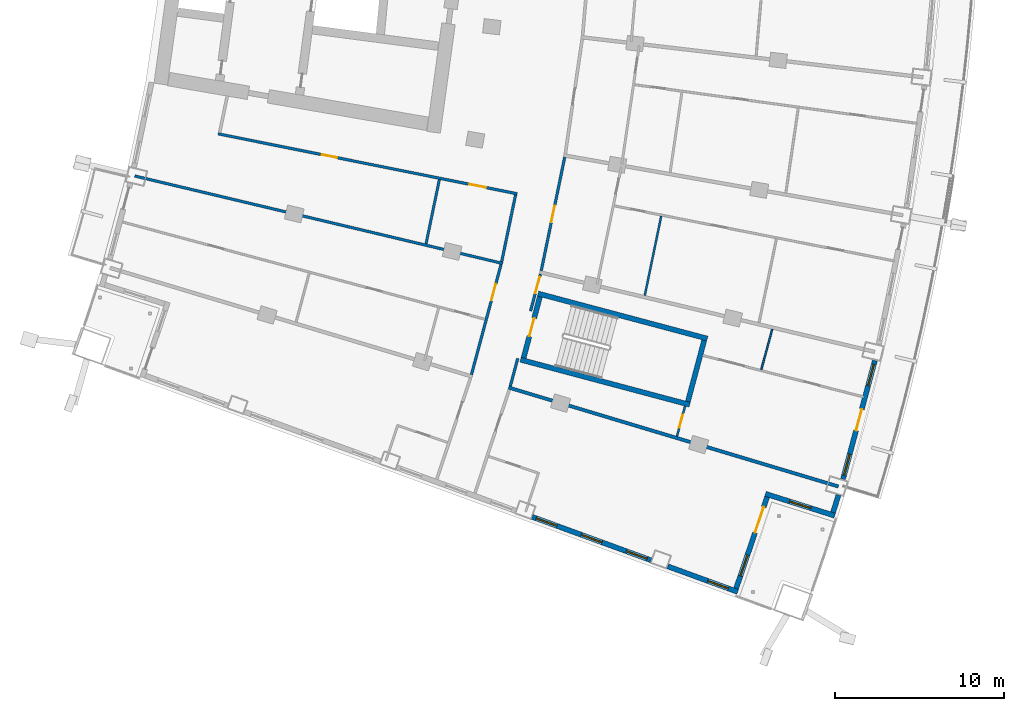
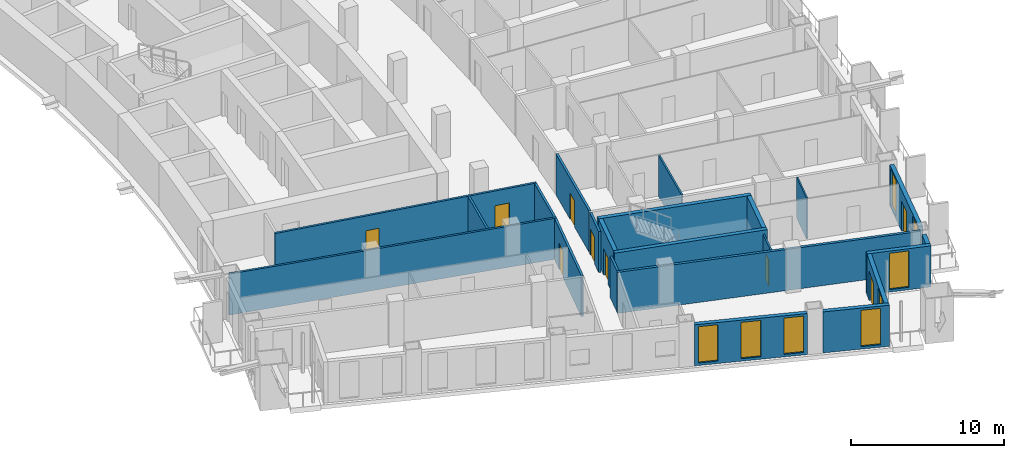
# One storey, part 11 of 23: 22 walls, 9 doors, 8 windows, 17 openings.
"""IFC4 building model written with IfcOpenShell, lengths in metres."""

from ifc_helpers import new_model, si_unit, direction, frame, frame_2d, origin, place, context, subcontext, project, spatial, rectangle, extrude, material, layer, layer_set, type_object, element, fill, save


model = new_model("IFC4")

# Units and contexts
model_context = context("Model", 3, precision=1e-05, world=origin(), true_north=direction((0.0, 1.0)))
body_context = subcontext(model_context, "Body", "Model", "MODEL_VIEW")
ifc_project = project(units=[si_unit("LENGTHUNIT", "METRE"), si_unit("AREAUNIT", "SQUARE_METRE"), si_unit("VOLUMEUNIT", "CUBIC_METRE"), si_unit("PLANEANGLEUNIT", "RADIAN"), si_unit("MASSUNIT", "GRAM", prefix="KILO")], contexts=[model_context])

# Site, building, storey
site_placement = place(None, origin())
site = spatial("IfcSite", under=ifc_project, at=site_placement, CompositionType="ELEMENT")
building_placement = place(site_placement, origin())
building = spatial("IfcBuilding", under=site, at=building_placement, Name="Alderwake Tower", CompositionType="ELEMENT")
storey_placement = place(building_placement, frame((0.0, 0.0, 100.39990234375)))
storey = spatial("IfcBuildingStorey", under=building, at=storey_placement, Name="L24", CompositionType="ELEMENT", Elevation=100.39990234375)

# Walls
ifc_material_1 = material(Name="Concrete C70/85", Category="concrete")
ifc_layer_1 = layer(ifc_material_1, 0.300048828125)
ifc_layer_set_1 = layer_set([ifc_layer_1], Name="Core wall stair enclosure 300 C70-85")
wall_type_1 = type_object("IfcWallType", Name="Core wall stair enclosure 300 C70-85", PredefinedType="SHEAR", material=ifc_layer_set_1)
for number, where, z_axis, x_axis, name in (
    (1, (37.75390625, 31.731201171875, 0.0), (0.0, 0.0, 1.0), (0.966309214305, -0.257383958996, 0.0), "Core wall CW.086"),
    (2, (36.71142578125, 27.817626953125, 0.0), (0.0, 0.0, 1.0), (0.966309214305, -0.257383958996, 0.0), "Core wall CW.088"),
):
    element("IfcWall", number, at=place(storey_placement, frame(where, z_axis=z_axis, x_axis=x_axis)), inside=storey, type_object=wall_type_1, Name=name, PredefinedType="SHEAR", context=body_context, shape_type="SweptSolid", body=[
        extrude(rectangle(XDim=10.360107421875, YDim=0.300048828125, at=frame_2d((5.18017578125, 0.0))), origin(), (0.0, 0.0, 1.0), 3.60009765625),
    ])

# Wall, opening, door
wall_1_placement = place(storey_placement, frame((36.89501953125, 27.923828125, 0.0), z_axis=(0.0, 0.0, 1.0), x_axis=(0.257350630826, 0.966318090907, 0.0)))
wall_1 = element("IfcWall", 3, at=wall_1_placement, inside=storey, type_object=wall_type_1, Name="Core wall CW.087", PredefinedType="SHEAR", context=body_context, shape_type="SweptSolid", body=[
    extrude(rectangle(XDim=3.75, YDim=0.300048828125, at=frame_2d((1.875, 0.0))), origin(), (0.0, 0.0, 1.0), 3.60009765625),
])
opening_1_placement = place(wall_1_placement, frame((1.324951171875, 0.0, 0.0)))
opening_1 = element("IfcOpeningElement", 4, at=opening_1_placement, cuts=wall_1, Name="Opening C065", PredefinedType="OPENING", context=body_context, shape_type="SweptSolid", body=[
    extrude(rectangle(XDim=1.10009765625, YDim=2.10009765625, at=frame_2d((0.550048828125, 1.050048828125))), frame((0.0, 0.159912109375, 0.0), z_axis=(0.0, -1.0, 0.0), x_axis=(1.0, 0.0, 0.0)), (0.0, 0.0, 1.0), 0.320068359375),
])
ifc_material_2 = material(Name="Steel-framed fire door leaf", Category="steel")
door_type_1 = type_object("IfcDoorType", Name="Core stair door 1100 fire-rated", OperationType="SINGLE_SWING_LEFT", PredefinedType="DOOR", material=ifc_material_2)
door_1_placement = place(opening_1_placement, origin())
door_1 = element("IfcDoor", 5, at=door_1_placement, inside=storey, type_object=door_type_1, Name="Stair door", OperationType="SINGLE_SWING_LEFT", OverallHeight=2.10009765625, OverallWidth=1.10009765625, PredefinedType="DOOR", context=body_context, shape_type="SweptSolid", body=[
    extrude(rectangle(XDim=1.10009765625, YDim=2.10009765625, at=frame_2d((0.550048828125, 1.050048828125))), frame((0.0, 0.02490234375, 0.0), z_axis=(0.0, -1.0, 0.0), x_axis=(1.0, 0.0, 0.0)), (0.0, 0.0, 1.0), 0.050048828125),
])
fill(opening_1, door_1)

# Walls
wall_2_placement = place(storey_placement, frame((46.6162109375, 25.334716796875, 0.0), z_axis=(0.0, 0.0, 1.0), x_axis=(0.257366821694, 0.966313778796, 0.0)))
element("IfcWall", 6, at=wall_2_placement, inside=storey, type_object=wall_type_1, Name="Core wall CW.085", PredefinedType="SHEAR", context=body_context, shape_type="SweptSolid", body=[
    extrude(rectangle(XDim=3.749755859375, YDim=0.300048828125, at=frame_2d((1.875, 0.0))), origin(), (0.0, 0.0, 1.0), 3.60009765625),
])
ifc_material_3 = material(Name="Gypsum board on metal studs, rated")
ifc_layer_2 = layer(ifc_material_3, 0.159912109375)
ifc_layer_set_2 = layer_set([ifc_layer_2], Name="Corridor wall 160")
wall_type_2 = type_object("IfcWallType", Name="Corridor wall 160", PredefinedType="PARTITIONING", material=ifc_layer_set_2)
wall_3_placement = place(storey_placement, frame((13.884033203125, 38.68798828125, 0.0), z_axis=(0.0, 0.0, 1.0), x_axis=(0.972893462073, -0.231253781493, 0.0)))
element("IfcWall", 7, at=wall_3_placement, inside=storey, type_object=wall_type_2, Name="WL/L24/W18", PredefinedType="PARTITIONING", context=body_context, shape_type="SweptSolid", body=[
    extrude(rectangle(XDim=22.38037109375, YDim=0.159912109375, at=frame_2d((11.190185546875, 0.0))), origin(), (0.0, 0.0, 1.0), 3.280029296875),
])

# Wall, openings, doors
wall_4_placement = place(storey_placement, frame((36.513427734375, 37.63427734375, 0.0), z_axis=(0.0, 0.0, 1.0), x_axis=(-0.980470254867, 0.1966674333, 0.0)))
wall_4 = element("IfcWall", 8, at=wall_4_placement, inside=storey, type_object=wall_type_2, Name="WL/L24/W20", PredefinedType="PARTITIONING", context=body_context, shape_type="SweptSolid", body=[
    extrude(rectangle(XDim=18.053466796875, YDim=0.159912109375, at=frame_2d((9.02685546875, 0.0))), origin(), (0.0, 0.0, 1.0), 3.280029296875),
])
opening_2_placement = place(wall_4_placement, frame((10.876708984375, 0.0, 0.0)))
opening_2 = element("IfcOpeningElement", 9, at=opening_2_placement, cuts=wall_4, Name="Opening R06-SBS1", PredefinedType="OPENING", context=body_context, shape_type="SweptSolid", body=[
    extrude(rectangle(XDim=0.89990234375, YDim=2.10009765625, at=frame_2d((0.449951171875, 1.050048828125))), frame((0.0, 0.08984375, 0.0), z_axis=(0.0, -1.0, 0.0), x_axis=(1.0, 0.0, 0.0)), (0.0, 0.0, 1.0), 0.179931640625),
])
opening_3_placement = place(wall_4_placement, frame((1.880615234375, 0.0, 0.0)))
opening_3 = element("IfcOpeningElement", 10, at=opening_3_placement, cuts=wall_4, Name="Opening R06-SBS2", PredefinedType="OPENING", context=body_context, shape_type="SweptSolid", body=[
    extrude(rectangle(XDim=1.0, YDim=2.10009765625, at=frame_2d((0.5, 1.050048828125))), frame((0.0, 0.08984375, 0.0), z_axis=(0.0, -1.0, 0.0), x_axis=(1.0, 0.0, 0.0)), (0.0, 0.0, 1.0), 0.179931640625),
])
ifc_material_4 = material(Name="Steel-framed fire door leaf", Category="steel")
door_type_2 = type_object("IfcDoorType", Name="Plant room door 1000 fire-rated", OperationType="SINGLE_SWING_LEFT", PredefinedType="DOOR", material=ifc_material_4)
door_2_placement = place(opening_3_placement, origin())
door_2 = element("IfcDoor", 11, at=door_2_placement, inside=storey, type_object=door_type_2, Name="DR/L24/SBS2", OperationType="SINGLE_SWING_LEFT", OverallHeight=2.10009765625, OverallWidth=1.0, PredefinedType="DOOR", context=body_context, shape_type="SweptSolid", body=[
    extrude(rectangle(XDim=1.0, YDim=2.10009765625, at=frame_2d((0.5, 1.050048828125))), frame((0.0, 0.02490234375, 0.0), z_axis=(0.0, -1.0, 0.0), x_axis=(1.0, 0.0, 0.0)), (0.0, 0.0, 1.0), 0.050048828125),
])
fill(opening_3, door_2)
ifc_material_5 = material(Name="Painted timber leaf", Category="wood")
door_type_3 = type_object("IfcDoorType", Name="Room door 900", OperationType="SINGLE_SWING_LEFT", PredefinedType="DOOR", material=ifc_material_5)
door_3_placement = place(opening_2_placement, origin())
door_3 = element("IfcDoor", 12, at=door_3_placement, inside=storey, type_object=door_type_3, Name="DR/L24/SBS1", OperationType="SINGLE_SWING_LEFT", OverallHeight=2.10009765625, OverallWidth=0.89990234375, PredefinedType="DOOR", context=body_context, shape_type="SweptSolid", body=[
    extrude(rectangle(XDim=0.89990234375, YDim=2.10009765625, at=frame_2d((0.449951171875, 1.050048828125))), frame((0.0, 0.02490234375, 0.0), z_axis=(0.0, -1.0, 0.0), x_axis=(1.0, 0.0, 0.0)), (0.0, 0.0, 1.0), 0.050048828125),
])
fill(opening_2, door_3)

# Wall, opening, door
wall_5_placement = place(storey_placement, frame((33.808837890625, 26.9345703125, 0.0), z_axis=(0.0, 0.0, 1.0), x_axis=(0.259298911818, 0.965797118618, 0.0)))
wall_5 = element("IfcWall", 13, at=wall_5_placement, inside=storey, type_object=wall_type_2, Name="WL/L24/W25", PredefinedType="PARTITIONING", context=body_context, shape_type="SweptSolid", body=[
    extrude(rectangle(XDim=6.75, YDim=0.159912109375, at=frame_2d((3.375, 0.0))), origin(), (0.0, 0.0, 1.0), 3.280029296875),
])
opening_4_placement = place(wall_5_placement, frame((4.5576171875, 0.0, 0.0)))
opening_4 = element("IfcOpeningElement", 14, at=opening_4_placement, cuts=wall_5, Name="Opening R06-U13.2", PredefinedType="OPENING", context=body_context, shape_type="SweptSolid", body=[
    extrude(rectangle(XDim=1.0, YDim=2.10009765625, at=frame_2d((0.5, 1.050048828125))), frame((0.0, 0.08984375, 0.0), z_axis=(0.0, -1.0, 0.0), x_axis=(1.0, 0.0, 0.0)), (0.0, 0.0, 1.0), 0.179931640625),
])
ifc_material_6 = material(Name="Solid timber leaf in steel frame", Category="steel")
door_type_4 = type_object("IfcDoorType", Name="Flat entrance door 1000 fire-rated", OperationType="SINGLE_SWING_LEFT", PredefinedType="DOOR", material=ifc_material_6)
door_4_placement = place(opening_4_placement, origin())
door_4 = element("IfcDoor", 15, at=door_4_placement, inside=storey, type_object=door_type_4, Name="DR/L24/U13.2", OperationType="SINGLE_SWING_LEFT", OverallHeight=2.10009765625, OverallWidth=1.0, PredefinedType="DOOR", context=body_context, shape_type="SweptSolid", body=[
    extrude(rectangle(XDim=1.0, YDim=2.10009765625, at=frame_2d((0.5, 1.050048828125))), frame((0.0, 0.02490234375, 0.0), z_axis=(0.0, -1.0, 0.0), x_axis=(1.0, 0.0, 0.0)), (0.0, 0.0, 1.0), 0.050048828125),
])
fill(opening_4, door_4)

# Walls
wall_6_placement = place(storey_placement, frame((36.10693359375, 26.24462890625, 0.0), z_axis=(0.0, 0.0, 1.0), x_axis=(0.259346865847, 0.965784242559, 0.0)))
element("IfcWall", 16, at=wall_6_placement, inside=storey, type_object=wall_type_2, Name="WL/L24/W29", PredefinedType="PARTITIONING", context=body_context, shape_type="SweptSolid", body=[
    extrude(rectangle(XDim=1.704833984375, YDim=0.159912109375, at=frame_2d((0.8525390625, 0.0))), origin(), (0.0, 0.0, 1.0), 3.280029296875),
])
wall_7_placement = place(storey_placement, frame((36.418701171875, 37.57177734375, 0.0), z_axis=(0.0, 0.0, 1.0), x_axis=(-0.203245920818, -0.979127721838, 0.0)))
element("IfcWall", 17, at=wall_7_placement, inside=storey, type_object=wall_type_2, Name="WL/L24/W31", PredefinedType="PARTITIONING", context=body_context, shape_type="SweptSolid", body=[
    extrude(rectangle(XDim=4.046875, YDim=0.159912109375, at=frame_2d((2.0234375, 0.0))), origin(), (0.0, 0.0, 1.0), 3.280029296875),
])

# Wall, opening, door
wall_8_placement = place(storey_placement, frame((37.89111328125, 32.87939453125, 0.0), z_axis=(0.0, 0.0, 1.0), x_axis=(-0.259620578816, -0.965710699462, 0.0)))
wall_8 = element("IfcWall", 18, at=wall_8_placement, inside=storey, type_object=wall_type_2, Name="WL/L24/W34", PredefinedType="PARTITIONING", context=body_context, shape_type="SweptSolid", body=[
    extrude(rectangle(XDim=2.2578125, YDim=0.159912109375, at=frame_2d((1.12890625, 0.0))), origin(), (0.0, 0.0, 1.0), 3.280029296875),
])
opening_5_placement = place(wall_8_placement, frame((0.1708984375, 0.0, 0.0)))
opening_5 = element("IfcOpeningElement", 19, at=opening_5_placement, cuts=wall_8, Name="Opening R06-U01.1", PredefinedType="OPENING", context=body_context, shape_type="SweptSolid", body=[
    extrude(rectangle(XDim=1.0, YDim=2.10009765625, at=frame_2d((0.5, 1.050048828125))), frame((0.0, 0.08984375, 0.0), z_axis=(0.0, -1.0, 0.0), x_axis=(1.0, 0.0, 0.0)), (0.0, 0.0, 1.0), 0.179931640625),
])
door_5_placement = place(opening_5_placement, origin())
door_5 = element("IfcDoor", 20, at=door_5_placement, inside=storey, type_object=door_type_4, Name="DR/L24/U01.1", OperationType="SINGLE_SWING_LEFT", OverallHeight=2.10009765625, OverallWidth=1.0, PredefinedType="DOOR", context=body_context, shape_type="SweptSolid", body=[
    extrude(rectangle(XDim=1.0, YDim=2.10009765625, at=frame_2d((0.5, 1.050048828125))), frame((0.0, 0.02490234375, 0.0), z_axis=(0.0, -1.0, 0.0), x_axis=(1.0, 0.0, 0.0)), (0.0, 0.0, 1.0), 0.050048828125),
])
fill(opening_5, door_5)

wall_9_placement = place(storey_placement, frame((39.32763671875, 39.799072265625, 0.0), z_axis=(0.0, 0.0, 1.0), x_axis=(-0.202463357072, -0.97928983914, 0.0)))
wall_9 = element("IfcWall", 21, at=wall_9_placement, inside=storey, type_object=wall_type_2, Name="WL/L24/W35", PredefinedType="PARTITIONING", context=body_context, shape_type="SweptSolid", body=[
    extrude(rectangle(XDim=6.867431640625, YDim=0.159912109375, at=frame_2d((3.43359375, 0.0))), origin(), (0.0, 0.0, 1.0), 3.280029296875),
])
opening_6_placement = place(wall_9_placement, frame((2.93359375, 0.0, 0.0)))
opening_6 = element("IfcOpeningElement", 22, at=opening_6_placement, cuts=wall_9, Name="Opening R06-U05.2", PredefinedType="OPENING", context=body_context, shape_type="SweptSolid", body=[
    extrude(rectangle(XDim=1.0, YDim=2.10009765625, at=frame_2d((0.5, 1.050048828125))), frame((0.0, 0.08984375, 0.0), z_axis=(0.0, -1.0, 0.0), x_axis=(1.0, 0.0, 0.0)), (0.0, 0.0, 1.0), 0.179931640625),
])
door_6_placement = place(opening_6_placement, origin())
door_6 = element("IfcDoor", 23, at=door_6_placement, inside=storey, type_object=door_type_4, Name="DR/L24/U05.2", OperationType="SINGLE_SWING_LEFT", OverallHeight=2.10009765625, OverallWidth=1.0, PredefinedType="DOOR", context=body_context, shape_type="SweptSolid", body=[
    extrude(rectangle(XDim=1.0, YDim=2.10009765625, at=frame_2d((0.5, 1.050048828125))), frame((0.0, 0.02490234375, 0.0), z_axis=(0.0, -1.0, 0.0), x_axis=(1.0, 0.0, 0.0)), (0.0, 0.0, 1.0), 0.050048828125),
])
fill(opening_6, door_6)

# Wall
ifc_material_7 = material(Name="Precast concrete C50/60 spandrel panel", Category="concrete")
ifc_layer_3 = layer(ifc_material_7, 0.300048828125)
ifc_layer_set_3 = layer_set([ifc_layer_3], Name="External wall EW1 Precast concrete C50/60 spandrel")
wall_type_3 = type_object("IfcWallType", Name="External wall EW1 Precast concrete C50/60 spandrel", PredefinedType="SOLIDWALL", material=ifc_layer_set_3)
wall_10_placement = place(storey_placement, frame((55.206298828125, 18.7724609375, 0.0), z_axis=(0.0, 0.0, 1.0), x_axis=(0.29460770827, 0.955618280606, 0.0)))
element("IfcWall", 24, at=wall_10_placement, inside=storey, type_object=wall_type_3, Name="External wall 11", PredefinedType="SOLIDWALL", context=body_context, shape_type="SweptSolid", body=[
    extrude(rectangle(XDim=1.084716796875, YDim=0.300048828125, at=frame_2d((0.54248046875, 0.0))), origin(), (0.0, 0.0, 1.0), 3.280029296875),
])

# Wall, openings, door, windows
wall_11_placement = place(storey_placement, frame((55.797119140625, 20.75048828125, 0.0), z_axis=(0.0, 0.0, 1.0), x_axis=(0.259469611771, 0.96575127262, 0.0)))
wall_11 = element("IfcWall", 25, at=wall_11_placement, inside=storey, type_object=wall_type_3, Name="External wall 12", PredefinedType="SOLIDWALL", context=body_context, shape_type="SweptSolid", body=[
    extrude(rectangle(XDim=7.263916015625, YDim=0.300048828125, at=frame_2d((3.6318359375, 0.0))), origin(), (0.0, 0.0, 1.0), 3.280029296875),
])
opening_7_placement = place(wall_11_placement, frame((0.23291015625, 0.0, 0.199951171875)))
opening_7 = element("IfcOpeningElement", 26, at=opening_7_placement, cuts=wall_11, Name="Opening W1", PredefinedType="OPENING", context=body_context, shape_type="SweptSolid", body=[
    extrude(rectangle(XDim=1.300048828125, YDim=2.89990234375, at=frame_2d((0.64990234375, 1.449951171875))), frame((0.0, 0.159912109375, 0.0), z_axis=(0.0, -1.0, 0.0), x_axis=(1.0, 0.0, 0.0)), (0.0, 0.0, 1.0), 0.320068359375),
])
opening_8_placement = place(wall_11_placement, frame((2.98193359375, 0.0, 0.0)))
opening_8 = element("IfcOpeningElement", 27, at=opening_8_placement, cuts=wall_11, Name="Opening D03", PredefinedType="OPENING", context=body_context, shape_type="SweptSolid", body=[
    extrude(rectangle(XDim=1.300048828125, YDim=2.39990234375, at=frame_2d((0.64990234375, 1.199951171875))), frame((0.0, 0.159912109375, 0.0), z_axis=(0.0, -1.0, 0.0), x_axis=(1.0, 0.0, 0.0)), (0.0, 0.0, 1.0), 0.320068359375),
])
opening_9_placement = place(wall_11_placement, frame((5.73095703125, 0.0, 0.199951171875)))
opening_9 = element("IfcOpeningElement", 28, at=opening_9_placement, cuts=wall_11, Name="Opening W1", PredefinedType="OPENING", context=body_context, shape_type="SweptSolid", body=[
    extrude(rectangle(XDim=1.300048828125, YDim=2.89990234375, at=frame_2d((0.64990234375, 1.449951171875))), frame((0.0, 0.159912109375, 0.0), z_axis=(0.0, -1.0, 0.0), x_axis=(1.0, 0.0, 0.0)), (0.0, 0.0, 1.0), 0.320068359375),
])
ifc_material_8 = material(Name="Bronze tinted glass in aluminium frame", Category="aluminium")
door_type_5 = type_object("IfcDoorType", Name="Balcony door BD sliding", OperationType="SLIDING_TO_LEFT", PredefinedType="DOOR", material=ifc_material_8)
door_7_placement = place(opening_8_placement, origin())
door_7 = element("IfcDoor", 29, at=door_7_placement, inside=storey, type_object=door_type_5, Name="Door D03", OperationType="SLIDING_TO_LEFT", OverallHeight=2.39990234375, OverallWidth=1.300048828125, PredefinedType="DOOR", context=body_context, shape_type="SweptSolid", body=[
    extrude(rectangle(XDim=1.300048828125, YDim=2.39990234375, at=frame_2d((0.64990234375, 1.199951171875))), frame((0.0, 0.02490234375, 0.0), z_axis=(0.0, -1.0, 0.0), x_axis=(1.0, 0.0, 0.0)), (0.0, 0.0, 1.0), 0.050048828125),
])
fill(opening_8, door_7)
ifc_material_9 = material(Name="Bronze tinted glass in aluminium frame", Category="aluminium")
window_type = type_object("IfcWindowType", Name="Window W1 tall fixed and vent", PartitioningType="DOUBLE_PANEL_VERTICAL", PredefinedType="WINDOW", material=ifc_material_9)
window_1_placement = place(opening_7_placement, origin())
window_1 = element("IfcWindow", 30, at=window_1_placement, inside=storey, type_object=window_type, Name="Window W1 tall fixed and vent", OverallHeight=2.89990234375, OverallWidth=1.300048828125, PartitioningType="DOUBLE_PANEL_VERTICAL", PredefinedType="WINDOW", context=body_context, shape_type="SweptSolid", body=[
    extrude(rectangle(XDim=1.300048828125, YDim=2.89990234375, at=frame_2d((0.64990234375, 1.449951171875))), frame((0.0, 0.030029296875, 0.0), z_axis=(0.0, -1.0, 0.0), x_axis=(1.0, 0.0, 0.0)), (0.0, 0.0, 1.0), 0.06005859375),
])
fill(opening_7, window_1)
window_2_placement = place(opening_9_placement, origin())
window_2 = element("IfcWindow", 31, at=window_2_placement, inside=storey, type_object=window_type, Name="Window W1 tall fixed and vent", OverallHeight=2.89990234375, OverallWidth=1.300048828125, PartitioningType="DOUBLE_PANEL_VERTICAL", PredefinedType="WINDOW", context=body_context, shape_type="SweptSolid", body=[
    extrude(rectangle(XDim=1.300048828125, YDim=2.89990234375, at=frame_2d((0.64990234375, 1.449951171875))), frame((0.0, 0.030029296875, 0.0), z_axis=(0.0, -1.0, 0.0), x_axis=(1.0, 0.0, 0.0)), (0.0, 0.0, 1.0), 0.06005859375),
])
fill(opening_9, window_2)

# Wall, openings, windows
ifc_material_10 = material(Name="Bronze metal cladding on lightweight framing")
ifc_layer_4 = layer(ifc_material_10, 0.300048828125)
ifc_layer_set_4 = layer_set([ifc_layer_4], Name="External wall EW2 bronze metal cladding")
wall_type_4 = type_object("IfcWallType", Name="External wall EW2 bronze metal cladding", PredefinedType="SOLIDWALL", material=ifc_layer_set_4)
wall_12_placement = place(storey_placement, frame((37.4091796875, 18.514892578125, 0.0), z_axis=(0.0, 0.0, 1.0), x_axis=(0.939370505087, -0.342903855582, 0.0)))
wall_12 = element("IfcWall", 32, at=wall_12_placement, inside=storey, type_object=wall_type_4, Name="External wall 7", PredefinedType="SOLIDWALL", context=body_context, shape_type="SweptSolid", body=[
    extrude(rectangle(XDim=7.479248046875, YDim=0.300048828125, at=frame_2d((3.73974609375, 0.0))), origin(), (0.0, 0.0, 1.0), 3.280029296875),
])
opening_10_placement = place(wall_12_placement, frame((0.2451171875, 0.0, 0.199951171875)))
opening_10 = element("IfcOpeningElement", 33, at=opening_10_placement, cuts=wall_12, Name="Opening W1", PredefinedType="OPENING", context=body_context, shape_type="SweptSolid", body=[
    extrude(rectangle(XDim=1.300048828125, YDim=2.89990234375, at=frame_2d((0.64990234375, 1.449951171875))), frame((0.0, 0.159912109375, 0.0), z_axis=(0.0, -1.0, 0.0), x_axis=(1.0, 0.0, 0.0)), (0.0, 0.0, 1.0), 0.320068359375),
])
opening_11_placement = place(wall_12_placement, frame((3.089599609375, 0.0, 0.199951171875)))
opening_11 = element("IfcOpeningElement", 34, at=opening_11_placement, cuts=wall_12, Name="Opening W1", PredefinedType="OPENING", context=body_context, shape_type="SweptSolid", body=[
    extrude(rectangle(XDim=1.300048828125, YDim=2.89990234375, at=frame_2d((0.64990234375, 1.449951171875))), frame((0.0, 0.159912109375, 0.0), z_axis=(0.0, -1.0, 0.0), x_axis=(1.0, 0.0, 0.0)), (0.0, 0.0, 1.0), 0.320068359375),
])
opening_12_placement = place(wall_12_placement, frame((5.93408203125, 0.0, 0.199951171875)))
opening_12 = element("IfcOpeningElement", 35, at=opening_12_placement, cuts=wall_12, Name="Opening W1", PredefinedType="OPENING", context=body_context, shape_type="SweptSolid", body=[
    extrude(rectangle(XDim=1.300048828125, YDim=2.89990234375, at=frame_2d((0.64990234375, 1.449951171875))), frame((0.0, 0.159912109375, 0.0), z_axis=(0.0, -1.0, 0.0), x_axis=(1.0, 0.0, 0.0)), (0.0, 0.0, 1.0), 0.320068359375),
])
window_3_placement = place(opening_10_placement, origin())
window_3 = element("IfcWindow", 36, at=window_3_placement, inside=storey, type_object=window_type, Name="Window W1 tall fixed and vent", OverallHeight=2.89990234375, OverallWidth=1.300048828125, PartitioningType="DOUBLE_PANEL_VERTICAL", PredefinedType="WINDOW", context=body_context, shape_type="SweptSolid", body=[
    extrude(rectangle(XDim=1.300048828125, YDim=2.89990234375, at=frame_2d((0.64990234375, 1.449951171875))), frame((0.0, 0.030029296875, 0.0), z_axis=(0.0, -1.0, 0.0), x_axis=(1.0, 0.0, 0.0)), (0.0, 0.0, 1.0), 0.06005859375),
])
fill(opening_10, window_3)
window_4_placement = place(opening_11_placement, origin())
window_4 = element("IfcWindow", 37, at=window_4_placement, inside=storey, type_object=window_type, Name="Window W1 tall fixed and vent", OverallHeight=2.89990234375, OverallWidth=1.300048828125, PartitioningType="DOUBLE_PANEL_VERTICAL", PredefinedType="WINDOW", context=body_context, shape_type="SweptSolid", body=[
    extrude(rectangle(XDim=1.300048828125, YDim=2.89990234375, at=frame_2d((0.64990234375, 1.449951171875))), frame((0.0, 0.030029296875, 0.0), z_axis=(0.0, -1.0, 0.0), x_axis=(1.0, 0.0, 0.0)), (0.0, 0.0, 1.0), 0.06005859375),
])
fill(opening_11, window_4)
window_5_placement = place(opening_12_placement, origin())
window_5 = element("IfcWindow", 38, at=window_5_placement, inside=storey, type_object=window_type, Name="Window W1 tall fixed and vent", OverallHeight=2.89990234375, OverallWidth=1.300048828125, PartitioningType="DOUBLE_PANEL_VERTICAL", PredefinedType="WINDOW", context=body_context, shape_type="SweptSolid", body=[
    extrude(rectangle(XDim=1.300048828125, YDim=2.89990234375, at=frame_2d((0.64990234375, 1.449951171875))), frame((0.0, 0.030029296875, 0.0), z_axis=(0.0, -1.0, 0.0), x_axis=(1.0, 0.0, 0.0)), (0.0, 0.0, 1.0), 0.06005859375),
])
fill(opening_12, window_5)

# Wall, opening, window
wall_13_placement = place(storey_placement, frame((45.425048828125, 15.5888671875, 0.0), z_axis=(0.0, 0.0, 1.0), x_axis=(0.939375174999, -0.342891062285, 0.0)))
wall_13 = element("IfcWall", 39, at=wall_13_placement, inside=storey, type_object=wall_type_4, Name="External wall 8", PredefinedType="SOLIDWALL", context=body_context, shape_type="SweptSolid", body=[
    extrude(rectangle(XDim=4.404541015625, YDim=0.300048828125, at=frame_2d((2.2021484375, 0.0))), origin(), (0.0, 0.0, 1.0), 3.280029296875),
])
opening_13_placement = place(wall_13_placement, frame((2.521484375, 0.0, 0.199951171875)))
opening_13 = element("IfcOpeningElement", 40, at=opening_13_placement, cuts=wall_13, Name="Opening W1", PredefinedType="OPENING", context=body_context, shape_type="SweptSolid", body=[
    extrude(rectangle(XDim=1.300048828125, YDim=2.89990234375, at=frame_2d((0.64990234375, 1.449951171875))), frame((0.0, 0.159912109375, 0.0), z_axis=(0.0, -1.0, 0.0), x_axis=(1.0, 0.0, 0.0)), (0.0, 0.0, 1.0), 0.320068359375),
])
window_6_placement = place(opening_13_placement, origin())
window_6 = element("IfcWindow", 41, at=window_6_placement, inside=storey, type_object=window_type, Name="Window W1 tall fixed and vent", OverallHeight=2.89990234375, OverallWidth=1.300048828125, PartitioningType="DOUBLE_PANEL_VERTICAL", PredefinedType="WINDOW", context=body_context, shape_type="SweptSolid", body=[
    extrude(rectangle(XDim=1.300048828125, YDim=2.89990234375, at=frame_2d((0.64990234375, 1.449951171875))), frame((0.0, 0.030029296875, 0.0), z_axis=(0.0, -1.0, 0.0), x_axis=(1.0, 0.0, 0.0)), (0.0, 0.0, 1.0), 0.06005859375),
])
fill(opening_13, window_6)

# Wall, openings, door, window
wall_14_placement = place(storey_placement, frame((49.469482421875, 14.272216796875, 0.0), z_axis=(0.0, 0.0, 1.0), x_axis=(0.32090889823, 0.947110067013, 0.0)))
wall_14 = element("IfcWall", 42, at=wall_14_placement, inside=storey, type_object=wall_type_4, Name="External wall 9", PredefinedType="SOLIDWALL", context=body_context, shape_type="SweptSolid", body=[
    extrude(rectangle(XDim=5.721923828125, YDim=0.300048828125, at=frame_2d((2.86083984375, 0.0))), origin(), (0.0, 0.0, 1.0), 3.280029296875),
])
opening_14_placement = place(wall_14_placement, frame((0.780517578125, 0.0, 0.199951171875)))
opening_14 = element("IfcOpeningElement", 43, at=opening_14_placement, cuts=wall_14, Name="Opening W1", PredefinedType="OPENING", context=body_context, shape_type="SweptSolid", body=[
    extrude(rectangle(XDim=1.300048828125, YDim=2.89990234375, at=frame_2d((0.64990234375, 1.449951171875))), frame((0.0, 0.159912109375, 0.0), z_axis=(0.0, -1.0, 0.0), x_axis=(1.0, 0.0, 0.0)), (0.0, 0.0, 1.0), 0.320068359375),
])
opening_15_placement = place(wall_14_placement, frame((3.491455078125, 0.0, 0.0)))
opening_15 = element("IfcOpeningElement", 44, at=opening_15_placement, cuts=wall_14, Name="Opening D02", PredefinedType="OPENING", context=body_context, shape_type="SweptSolid", body=[
    extrude(rectangle(XDim=1.60009765625, YDim=2.39990234375, at=frame_2d((0.800048828125, 1.199951171875))), frame((0.0, 0.159912109375, 0.0), z_axis=(0.0, -1.0, 0.0), x_axis=(1.0, 0.0, 0.0)), (0.0, 0.0, 1.0), 0.320068359375),
])
ifc_material_11 = material(Name="Bronze tinted glass in aluminium frame", Category="aluminium")
door_type_6 = type_object("IfcDoorType", Name="Terrace door TD sliding", OperationType="SLIDING_TO_LEFT", PredefinedType="DOOR", material=ifc_material_11)
door_8_placement = place(opening_15_placement, origin())
door_8 = element("IfcDoor", 45, at=door_8_placement, inside=storey, type_object=door_type_6, Name="Door D02", OperationType="SLIDING_TO_LEFT", OverallHeight=2.39990234375, OverallWidth=1.60009765625, PredefinedType="DOOR", context=body_context, shape_type="SweptSolid", body=[
    extrude(rectangle(XDim=1.60009765625, YDim=2.39990234375, at=frame_2d((0.800048828125, 1.199951171875))), frame((0.0, 0.02490234375, 0.0), z_axis=(0.0, -1.0, 0.0), x_axis=(1.0, 0.0, 0.0)), (0.0, 0.0, 1.0), 0.050048828125),
])
fill(opening_15, door_8)
window_7_placement = place(opening_14_placement, origin())
window_7 = element("IfcWindow", 46, at=window_7_placement, inside=storey, type_object=window_type, Name="Window W1 tall fixed and vent", OverallHeight=2.89990234375, OverallWidth=1.300048828125, PartitioningType="DOUBLE_PANEL_VERTICAL", PredefinedType="WINDOW", context=body_context, shape_type="SweptSolid", body=[
    extrude(rectangle(XDim=1.300048828125, YDim=2.89990234375, at=frame_2d((0.64990234375, 1.449951171875))), frame((0.0, 0.030029296875, 0.0), z_axis=(0.0, -1.0, 0.0), x_axis=(1.0, 0.0, 0.0)), (0.0, 0.0, 1.0), 0.06005859375),
])
fill(opening_14, window_7)

# Wall, opening, window
wall_15_placement = place(storey_placement, frame((51.210693359375, 19.878662109375, 0.0), z_axis=(0.0, 0.0, 1.0), x_axis=(0.95345886453, -0.301523122911, 0.0)))
wall_15 = element("IfcWall", 47, at=wall_15_placement, inside=storey, type_object=wall_type_4, Name="External wall 10", PredefinedType="SOLIDWALL", context=body_context, shape_type="SweptSolid", body=[
    extrude(rectangle(XDim=4.294677734375, YDim=0.300048828125, at=frame_2d((2.1474609375, 0.0))), origin(), (0.0, 0.0, 1.0), 3.280029296875),
])
opening_16_placement = place(wall_15_placement, frame((1.4970703125, 0.0, 0.199951171875)))
opening_16 = element("IfcOpeningElement", 48, at=opening_16_placement, cuts=wall_15, Name="Opening W1", PredefinedType="OPENING", context=body_context, shape_type="SweptSolid", body=[
    extrude(rectangle(XDim=1.300048828125, YDim=2.89990234375, at=frame_2d((0.64990234375, 1.449951171875))), frame((0.0, 0.159912109375, 0.0), z_axis=(0.0, -1.0, 0.0), x_axis=(1.0, 0.0, 0.0)), (0.0, 0.0, 1.0), 0.320068359375),
])
window_8_placement = place(opening_16_placement, origin())
window_8 = element("IfcWindow", 49, at=window_8_placement, inside=storey, type_object=window_type, Name="Window W1 tall fixed and vent", OverallHeight=2.89990234375, OverallWidth=1.300048828125, PartitioningType="DOUBLE_PANEL_VERTICAL", PredefinedType="WINDOW", context=body_context, shape_type="SweptSolid", body=[
    extrude(rectangle(XDim=1.300048828125, YDim=2.89990234375, at=frame_2d((0.64990234375, 1.449951171875))), frame((0.0, 0.030029296875, 0.0), z_axis=(0.0, -1.0, 0.0), x_axis=(1.0, 0.0, 0.0)), (0.0, 0.0, 1.0), 0.06005859375),
])
fill(opening_16, window_8)

# Walls
ifc_material_12 = material(Name="Dense block masonry wall", Category="masonry")
ifc_layer_5 = layer(ifc_material_12, 0.199951171875)
ifc_layer_set_5 = layer_set([ifc_layer_5], Name="Party wall 200")
wall_type_5 = type_object("IfcWallType", Name="Party wall 200", PredefinedType="SOLIDWALL", material=ifc_layer_set_5)
wall_16_placement = place(storey_placement, frame((36.00439453125, 26.1708984375, 0.0), z_axis=(0.0, 0.0, 1.0), x_axis=(0.957798584654, -0.287440204625, 0.0)))
element("IfcWall", 50, at=wall_16_placement, inside=storey, type_object=wall_type_5, Name="WL/L24/W05", PredefinedType="SOLIDWALL", context=body_context, shape_type="SweptSolid", body=[
    extrude(rectangle(XDim=20.379638671875, YDim=0.199951171875, at=frame_2d((10.18994140625, 0.0))), origin(), (0.0, 0.0, 1.0), 3.280029296875),
])
ifc_material_13 = material(Name="Gypsum shaft wall system, rated")
ifc_layer_6 = layer(ifc_material_13, 0.14990234375)
ifc_layer_set_6 = layer_set([ifc_layer_6], Name="Riser and shaft wall 150")
wall_type_6 = type_object("IfcWallType", Name="Riser and shaft wall 150", PredefinedType="PARTITIONING", material=ifc_layer_set_6)
wall_17_placement = place(storey_placement, frame((31.120361328125, 34.67138671875, 0.0), z_axis=(0.0, 0.0, 1.0), x_axis=(0.203103989328, 0.979157173042, 0.0)))
element("IfcWall", 51, at=wall_17_placement, inside=storey, type_object=wall_type_6, Name="WL/L24/W14", PredefinedType="PARTITIONING", context=body_context, shape_type="SweptSolid", body=[
    extrude(rectangle(XDim=3.887451171875, YDim=0.14990234375, at=frame_2d((1.94384765625, 0.0))), origin(), (0.0, 0.0, 1.0), 3.280029296875),
])
ifc_material_14 = material(Name="Gypsum board on metal studs")
ifc_layer_7 = layer(ifc_material_14, 0.10009765625)
ifc_layer_set_7 = layer_set([ifc_layer_7], Name="Unit partition 100")
wall_type_7 = type_object("IfcWallType", Name="Unit partition 100", PredefinedType="PARTITIONING", material=ifc_layer_set_7)
wall_18_placement = place(storey_placement, frame((50.9619140625, 27.225341796875, 0.0), z_axis=(0.0, 0.0, 1.0), x_axis=(0.260249003849, 0.965541535096, 0.0)))
element("IfcWall", 52, at=wall_18_placement, inside=storey, type_object=wall_type_7, Name="WL/L24/W84", PredefinedType="PARTITIONING", context=body_context, shape_type="SweptSolid", body=[
    extrude(rectangle(XDim=2.478515625, YDim=0.10009765625, at=frame_2d((1.2392578125, 0.0))), origin(), (0.0, 0.0, 1.0), 3.280029296875),
])
ifc_material_15 = material(Name="Moisture resistant gypsum board on metal studs")
ifc_layer_8 = layer(ifc_material_15, 0.1201171875)
ifc_layer_set_8 = layer_set([ifc_layer_8], Name="Wet room partition 120")
wall_type_8 = type_object("IfcWallType", Name="Wet room partition 120", PredefinedType="PARTITIONING", material=ifc_layer_set_8)
wall_19_placement = place(storey_placement, frame((44.06640625, 31.615966796875, 0.0), z_axis=(0.0, 0.0, 1.0), x_axis=(0.202632459684, 0.979254862782, 0.0)))
element("IfcWall", 53, at=wall_19_placement, inside=storey, type_object=wall_type_8, Name="WL/L24/W64", PredefinedType="PARTITIONING", context=body_context, shape_type="SweptSolid", body=[
    extrude(rectangle(XDim=4.809814453125, YDim=0.1201171875, at=frame_2d((2.40478515625, 0.0))), origin(), (0.0, 0.0, 1.0), 3.280029296875),
])

# Wall, opening, door
wall_20_placement = place(storey_placement, frame((45.970947265625, 23.28369140625, 0.0), z_axis=(0.0, 0.0, 1.0), x_axis=(0.258764710752, 0.965940383497, 0.0)))
wall_20 = element("IfcWall", 54, at=wall_20_placement, inside=storey, type_object=wall_type_8, Name="WL/L24/W68", PredefinedType="PARTITIONING", context=body_context, shape_type="SweptSolid", body=[
    extrude(rectangle(XDim=1.847412109375, YDim=0.1201171875, at=frame_2d((0.923828125, 0.0))), origin(), (0.0, 0.0, 1.0), 3.280029296875),
])
opening_17_placement = place(wall_20_placement, frame((0.523681640625, 0.0, 0.0)))
opening_17 = element("IfcOpeningElement", 55, at=opening_17_placement, cuts=wall_20, Name="Opening R06-U01.4", PredefinedType="OPENING", context=body_context, shape_type="SweptSolid", body=[
    extrude(rectangle(XDim=0.800048828125, YDim=2.10009765625, at=frame_2d((0.39990234375, 1.050048828125))), frame((0.0, 0.070068359375, 0.0), z_axis=(0.0, -1.0, 0.0), x_axis=(1.0, 0.0, 0.0)), (0.0, 0.0, 1.0), 0.14013671875),
])
ifc_material_16 = material(Name="Painted timber leaf", Category="wood")
door_type_7 = type_object("IfcDoorType", Name="Bathroom door 800", OperationType="SINGLE_SWING_LEFT", PredefinedType="DOOR", material=ifc_material_16)
door_9_placement = place(opening_17_placement, origin())
door_9 = element("IfcDoor", 56, at=door_9_placement, inside=storey, type_object=door_type_7, Name="DR/L24/U01.4", OperationType="SINGLE_SWING_LEFT", OverallHeight=2.10009765625, OverallWidth=0.800048828125, PredefinedType="DOOR", context=body_context, shape_type="SweptSolid", body=[
    extrude(rectangle(XDim=0.800048828125, YDim=2.10009765625, at=frame_2d((0.39990234375, 1.050048828125))), frame((0.0, 0.02490234375, 0.0), z_axis=(0.0, -1.0, 0.0), x_axis=(1.0, 0.0, 0.0)), (0.0, 0.0, 1.0), 0.050048828125),
])
fill(opening_17, door_9)

save(model, "model.ifc")
